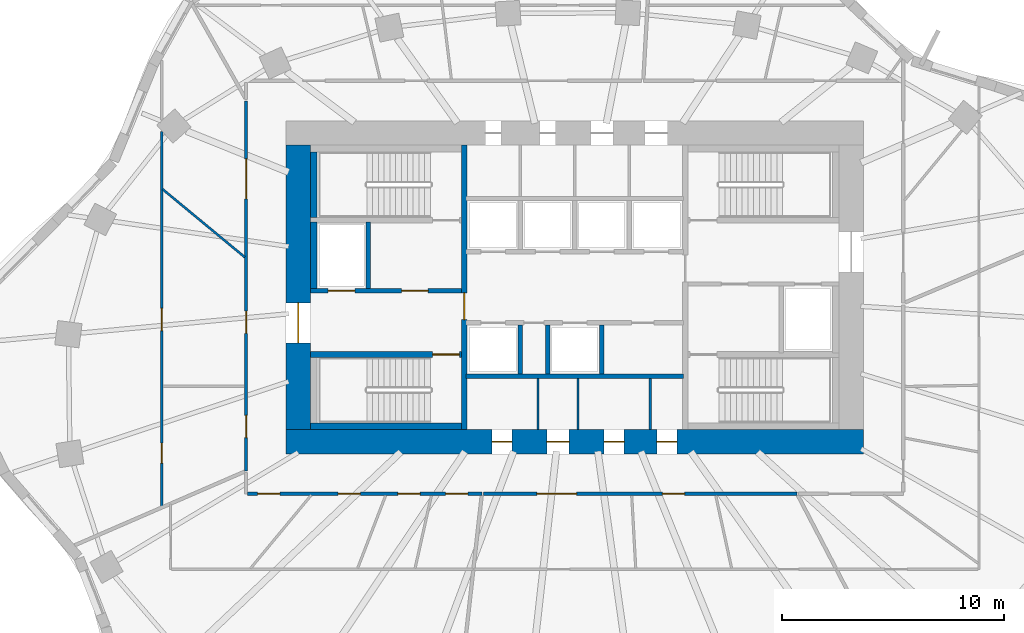
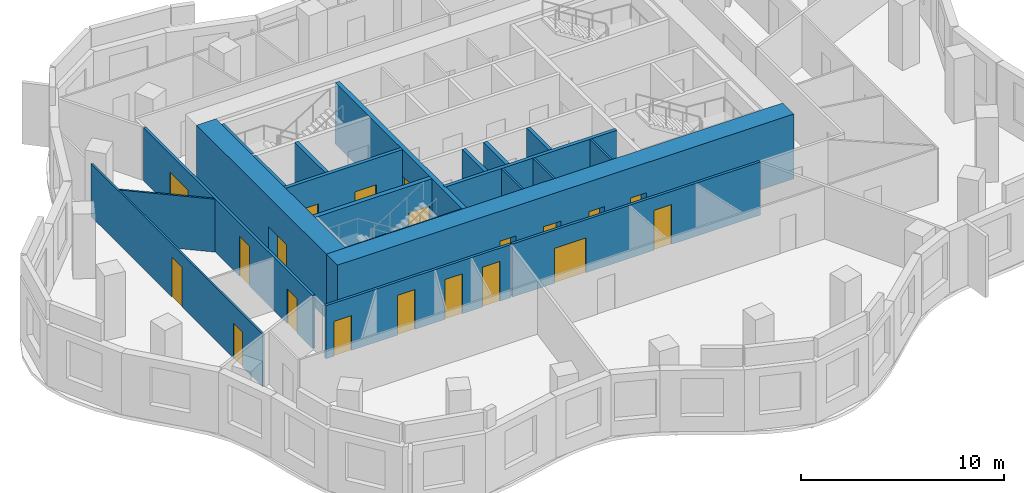
# One storey, part 4 of 9: 21 walls, 20 doors, 20 openings.
"""IFC4 building model written with IfcOpenShell, lengths in metres."""

from ifc_helpers import new_model, si_unit, direction, frame, frame_2d, origin, place, context, subcontext, project, spatial, rectangle, extrude, material, layer, layer_set, type_object, element, fill, save


model = new_model("IFC4")

# Units and contexts
model_context = context("Model", 3, precision=1e-05, world=origin(), true_north=direction((0.0, 1.0)))
body_context = subcontext(model_context, "Body", "Model", "MODEL_VIEW")
ifc_project = project(units=[si_unit("LENGTHUNIT", "METRE"), si_unit("AREAUNIT", "SQUARE_METRE"), si_unit("VOLUMEUNIT", "CUBIC_METRE"), si_unit("PLANEANGLEUNIT", "RADIAN"), si_unit("MASSUNIT", "GRAM", prefix="KILO")], contexts=[model_context])

# Site, building, storey
site_placement = place(None, origin())
site = spatial("IfcSite", under=ifc_project, at=site_placement, CompositionType="ELEMENT")
building_placement = place(site_placement, origin())
building = spatial("IfcBuilding", under=site, at=building_placement, Name="Rubra Terraces Tower", CompositionType="ELEMENT")
storey_placement = place(building_placement, frame((0.0, 0.0, 142.199951171875)))
storey = spatial("IfcBuildingStorey", under=building, at=storey_placement, Name="L34", CompositionType="ELEMENT", Elevation=142.199951171875)

# Wall, openings, doors
ifc_material_1 = material(Name="Concrete C60", Category="concrete")
ifc_layer_1 = layer(ifc_material_1, 1.10009765625)
ifc_layer_set_1 = layer_set([ifc_layer_1], Name="Concrete C60")
wall_type_1 = type_object("IfcWallType", Name="CORE WALL 1100 C60", PredefinedType="SHEAR", material=ifc_layer_set_1)
wall_1_placement = place(storey_placement, frame((-13.0, -2.449951171875, 0.0), z_axis=(0.0, 0.0, 1.0), x_axis=(1.0, 0.0, 0.0)))
wall_1 = element("IfcWall", 1, at=wall_1_placement, inside=storey, type_object=wall_type_1, Name="CORE WALL S L34", PredefinedType="SHEAR", context=body_context, shape_type="SweptSolid", body=[
    extrude(rectangle(XDim=26.0, YDim=1.10009765625, at=frame_2d((13.0, 0.0))), origin(), (0.0, 0.0, 1.0), 3.900146484375),
])
opening_1_placement = place(wall_1_placement, frame((9.27490234375, 0.0, 0.0)))
opening_1 = element("IfcOpeningElement", 2, at=opening_1_placement, cuts=wall_1, Name="Opening L34.C21", PredefinedType="OPENING", context=body_context, shape_type="SweptSolid", body=[
    extrude(rectangle(XDim=0.89990234375, YDim=2.10009765625, at=frame_2d((0.449951171875, 1.050048828125))), frame((0.0, 0.56005859375, 0.0), z_axis=(0.0, -1.0, 0.0), x_axis=(1.0, 0.0, 0.0)), (0.0, 0.0, 1.0), 1.1201171875),
])
opening_2_placement = place(wall_1_placement, frame((11.75, 0.0, 0.0)))
opening_2 = element("IfcOpeningElement", 3, at=opening_2_placement, cuts=wall_1, Name="Opening L34.C22", PredefinedType="OPENING", context=body_context, shape_type="SweptSolid", body=[
    extrude(rectangle(XDim=1.0, YDim=2.10009765625, at=frame_2d((0.5, 1.050048828125))), frame((0.0, 0.56005859375, 0.0), z_axis=(0.0, -1.0, 0.0), x_axis=(1.0, 0.0, 0.0)), (0.0, 0.0, 1.0), 1.1201171875),
])
opening_3_placement = place(wall_1_placement, frame((14.324951171875, 0.0, 0.0)))
opening_3 = element("IfcOpeningElement", 4, at=opening_3_placement, cuts=wall_1, Name="Opening L34.C23", PredefinedType="OPENING", context=body_context, shape_type="SweptSolid", body=[
    extrude(rectangle(XDim=0.89990234375, YDim=2.10009765625, at=frame_2d((0.449951171875, 1.050048828125))), frame((0.0, 0.56005859375, 0.0), z_axis=(0.0, -1.0, 0.0), x_axis=(1.0, 0.0, 0.0)), (0.0, 0.0, 1.0), 1.1201171875),
])
opening_4_placement = place(wall_1_placement, frame((16.699951171875, 0.0, 0.0)))
opening_4 = element("IfcOpeningElement", 5, at=opening_4_placement, cuts=wall_1, Name="Opening L34.C24", PredefinedType="OPENING", context=body_context, shape_type="SweptSolid", body=[
    extrude(rectangle(XDim=0.89990234375, YDim=2.10009765625, at=frame_2d((0.449951171875, 1.050048828125))), frame((0.0, 0.56005859375, 0.0), z_axis=(0.0, -1.0, 0.0), x_axis=(1.0, 0.0, 0.0)), (0.0, 0.0, 1.0), 1.1201171875),
])
ifc_material_2 = material(Name="Painted steel", Category="steel")
door_type_1 = type_object("IfcDoorType", Name="Fire door 1000x2100 single", OperationType="NOTDEFINED", PredefinedType="DOOR", material=ifc_material_2)
door_1_placement = place(opening_2_placement, origin())
door_1 = element("IfcDoor", 6, at=door_1_placement, inside=storey, type_object=door_type_1, Name="Accessible WC door", OperationType="SINGLE_SWING_RIGHT", OverallHeight=2.10009765625, OverallWidth=1.0, PredefinedType="DOOR", context=body_context, shape_type="SweptSolid", body=[
    extrude(rectangle(XDim=1.0, YDim=2.10009765625, at=frame_2d((0.5, 1.050048828125))), frame((0.0, 0.02490234375, 0.0), z_axis=(0.0, -1.0, 0.0), x_axis=(1.0, 0.0, 0.0)), (0.0, 0.0, 1.0), 0.050048828125),
])
fill(opening_2, door_1)
door_type_2 = type_object("IfcDoorType", Name="Fire door 900x2100 single", OperationType="NOTDEFINED", PredefinedType="DOOR", material=ifc_material_2)
door_2_placement = place(opening_1_placement, origin())
door_2 = element("IfcDoor", 7, at=door_2_placement, inside=storey, type_object=door_type_2, Name="Gents WC door", OperationType="SINGLE_SWING_LEFT", OverallHeight=2.10009765625, OverallWidth=0.89990234375, PredefinedType="DOOR", context=body_context, shape_type="SweptSolid", body=[
    extrude(rectangle(XDim=0.89990234375, YDim=2.10009765625, at=frame_2d((0.449951171875, 1.050048828125))), frame((0.0, 0.02490234375, 0.0), z_axis=(0.0, -1.0, 0.0), x_axis=(1.0, 0.0, 0.0)), (0.0, 0.0, 1.0), 0.050048828125),
])
fill(opening_1, door_2)
door_3_placement = place(opening_3_placement, origin())
door_3 = element("IfcDoor", 8, at=door_3_placement, inside=storey, type_object=door_type_2, Name="Ladies WC door", OperationType="SINGLE_SWING_LEFT", OverallHeight=2.10009765625, OverallWidth=0.89990234375, PredefinedType="DOOR", context=body_context, shape_type="SweptSolid", body=[
    extrude(rectangle(XDim=0.89990234375, YDim=2.10009765625, at=frame_2d((0.449951171875, 1.050048828125))), frame((0.0, 0.02490234375, 0.0), z_axis=(0.0, -1.0, 0.0), x_axis=(1.0, 0.0, 0.0)), (0.0, 0.0, 1.0), 0.050048828125),
])
fill(opening_3, door_3)
door_4_placement = place(opening_4_placement, origin())
door_4 = element("IfcDoor", 9, at=door_4_placement, inside=storey, type_object=door_type_2, Name="Cleaner's store door", OperationType="SINGLE_SWING_RIGHT", OverallHeight=2.10009765625, OverallWidth=0.89990234375, PredefinedType="DOOR", context=body_context, shape_type="SweptSolid", body=[
    extrude(rectangle(XDim=0.89990234375, YDim=2.10009765625, at=frame_2d((0.449951171875, 1.050048828125))), frame((0.0, 0.02490234375, 0.0), z_axis=(0.0, -1.0, 0.0), x_axis=(1.0, 0.0, 0.0)), (0.0, 0.0, 1.0), 0.050048828125),
])
fill(opening_4, door_4)

# Wall, opening, door
wall_2_placement = place(storey_placement, frame((-12.449951171875, -1.89990234375, 0.0), z_axis=(0.0, 0.0, 1.0), x_axis=(0.0, 1.0, 0.0)))
wall_2 = element("IfcWall", 10, at=wall_2_placement, inside=storey, type_object=wall_type_1, Name="CORE WALL W L34", PredefinedType="SHEAR", context=body_context, shape_type="SweptSolid", body=[
    extrude(rectangle(XDim=12.7998046875, YDim=1.10009765625, at=frame_2d((6.39990234375, 0.0))), origin(), (0.0, 0.0, 1.0), 3.900146484375),
])
opening_5_placement = place(wall_2_placement, frame((3.89990234375, 0.0, 0.0)))
opening_5 = element("IfcOpeningElement", 11, at=opening_5_placement, cuts=wall_2, Name="Opening L34.C01", PredefinedType="OPENING", context=body_context, shape_type="SweptSolid", body=[
    extrude(rectangle(XDim=1.800048828125, YDim=2.10009765625, at=frame_2d((0.89990234375, 1.050048828125))), frame((0.0, 0.56005859375, 0.0), z_axis=(0.0, -1.0, 0.0), x_axis=(1.0, 0.0, 0.0)), (0.0, 0.0, 1.0), 1.1201171875),
])
door_type_3 = type_object("IfcDoorType", Name="Fire door 1800x2100 double", OperationType="NOTDEFINED", PredefinedType="DOOR", material=ifc_material_2)
door_5_placement = place(opening_5_placement, origin())
door_5 = element("IfcDoor", 12, at=door_5_placement, inside=storey, type_object=door_type_3, Name="Core entrance door FF1", OperationType="DOUBLE_DOOR_SINGLE_SWING", OverallHeight=2.10009765625, OverallWidth=1.800048828125, PredefinedType="DOOR", context=body_context, shape_type="SweptSolid", body=[
    extrude(rectangle(XDim=1.800048828125, YDim=2.10009765625, at=frame_2d((0.89990234375, 1.050048828125))), frame((0.0, 0.02490234375, 0.0), z_axis=(0.0, -1.0, 0.0), x_axis=(1.0, 0.0, 0.0)), (0.0, 0.0, 1.0), 0.050048828125),
])
fill(opening_5, door_5)

# Wall, openings, doors
ifc_material_3 = material(Name="Plasterboard on steel stud, mineral wool infill", Category="steel")
ifc_layer_2 = layer(ifc_material_3, 0.14990234375)
ifc_layer_set_2 = layer_set([ifc_layer_2], Name="Plasterboard on steel stud, mineral wool infill")
wall_type_2 = type_object("IfcWallType", Name="CORRIDOR PARTITION 150", PredefinedType="PARTITIONING", material=ifc_layer_set_2)
wall_3_placement = place(storey_placement, frame((-14.800048828125, 12.881591796875, 0.0), z_axis=(0.0, 0.0, 1.0), x_axis=(0.0, -1.0, 0.0)))
wall_3 = element("IfcWall", 13, at=wall_3_placement, inside=storey, type_object=wall_type_2, Name="PARTITION", PredefinedType="PARTITIONING", context=body_context, shape_type="SweptSolid", body=[
    extrude(rectangle(XDim=16.65234375, YDim=0.14990234375, at=frame_2d((8.326171875, 0.0))), origin(), (0.0, 0.0, 1.0), 3.197998046875),
])
opening_6_placement = place(wall_3_placement, frame((2.59912109375, 0.0, 0.0)))
opening_6 = element("IfcOpeningElement", 14, at=opening_6_placement, cuts=wall_3, Name="Opening 34-107", PredefinedType="OPENING", context=body_context, shape_type="SweptSolid", body=[
    extrude(rectangle(XDim=1.800048828125, YDim=2.10009765625, at=frame_2d((0.89990234375, 1.050048828125))), frame((0.0, 0.0849609375, 0.0), z_axis=(0.0, -1.0, 0.0), x_axis=(1.0, 0.0, 0.0)), (0.0, 0.0, 1.0), 0.169921875),
])
opening_7_placement = place(wall_3_placement, frame((9.4560546875, 0.0, 0.0)))
opening_7 = element("IfcOpeningElement", 15, at=opening_7_placement, cuts=wall_3, Name="Opening 34-108", PredefinedType="OPENING", context=body_context, shape_type="SweptSolid", body=[
    extrude(rectangle(XDim=1.0, YDim=2.39990234375, at=frame_2d((0.5, 1.199951171875))), frame((0.0, 0.0849609375, 0.0), z_axis=(0.0, -1.0, 0.0), x_axis=(1.0, 0.0, 0.0)), (0.0, 0.0, 1.0), 0.169921875),
])
opening_8_placement = place(wall_3_placement, frame((14.14990234375, 0.0, 0.0)))
opening_8 = element("IfcOpeningElement", 16, at=opening_8_placement, cuts=wall_3, Name="Opening 34-129", PredefinedType="OPENING", context=body_context, shape_type="SweptSolid", body=[
    extrude(rectangle(XDim=1.0, YDim=2.10009765625, at=frame_2d((0.5, 1.050048828125))), frame((0.0, 0.0849609375, 0.0), z_axis=(0.0, -1.0, 0.0), x_axis=(1.0, 0.0, 0.0)), (0.0, 0.0, 1.0), 0.169921875),
])
ifc_material_4 = material(Name="Glazed aluminium meeting door leaf", Category="aluminium")
door_type_4 = type_object("IfcDoorType", Name="MEETING ROOM GLAZED DOOR 1000 X 2400", OperationType="SINGLE_SWING_LEFT", PredefinedType="DOOR", material=ifc_material_4)
door_6_placement = place(opening_7_placement, origin())
door_6 = element("IfcDoor", 17, at=door_6_placement, inside=storey, type_object=door_type_4, Name="DOOR 34-108", OperationType="SINGLE_SWING_RIGHT", OverallHeight=2.39990234375, OverallWidth=1.0, PredefinedType="DOOR", context=body_context, shape_type="SweptSolid", body=[
    extrude(rectangle(XDim=1.0, YDim=2.39990234375, at=frame_2d((0.5, 1.199951171875))), frame((0.0, 0.02490234375, 0.0), z_axis=(0.0, -1.0, 0.0), x_axis=(1.0, 0.0, 0.0)), (0.0, 0.0, 1.0), 0.050048828125),
])
fill(opening_7, door_6)
ifc_material_5 = material(Name="Painted timber door leaf", Category="wood")
door_type_5 = type_object("IfcDoorType", Name="ROOM DOOR 1000 X 2100", OperationType="SINGLE_SWING_LEFT", PredefinedType="DOOR", material=ifc_material_5)
door_7_placement = place(opening_8_placement, origin())
door_7 = element("IfcDoor", 18, at=door_7_placement, inside=storey, type_object=door_type_5, Name="DOOR 34-129", OperationType="SINGLE_SWING_RIGHT", OverallHeight=2.10009765625, OverallWidth=1.0, PredefinedType="DOOR", context=body_context, shape_type="SweptSolid", body=[
    extrude(rectangle(XDim=1.0, YDim=2.10009765625, at=frame_2d((0.5, 1.050048828125))), frame((0.0, 0.02490234375, 0.0), z_axis=(0.0, -1.0, 0.0), x_axis=(1.0, 0.0, 0.0)), (0.0, 0.0, 1.0), 0.050048828125),
])
fill(opening_8, door_7)
ifc_material_6 = material(Name="Painted timber door leaf, double", Category="wood")
door_type_6 = type_object("IfcDoorType", Name="ROOM DOUBLE DOOR 1800 X 2100", OperationType="DOUBLE_DOOR_SINGLE_SWING", PredefinedType="DOOR", material=ifc_material_6)
door_8_placement = place(opening_6_placement, origin())
door_8 = element("IfcDoor", 19, at=door_8_placement, inside=storey, type_object=door_type_6, Name="DOOR 34-107", OperationType="DOUBLE_DOOR_SINGLE_SWING", OverallHeight=2.10009765625, OverallWidth=1.800048828125, PredefinedType="DOOR", context=body_context, shape_type="SweptSolid", body=[
    extrude(rectangle(XDim=1.800048828125, YDim=2.10009765625, at=frame_2d((0.89990234375, 1.050048828125))), frame((0.0, 0.02490234375, 0.0), z_axis=(0.0, -1.0, 0.0), x_axis=(1.0, 0.0, 0.0)), (0.0, 0.0, 1.0), 0.050048828125),
])
fill(opening_6, door_8)

wall_4_placement = place(storey_placement, frame((-14.72509765625, -4.800048828125, 0.0), z_axis=(0.0, 0.0, 1.0), x_axis=(1.0, 0.0, 0.0)))
wall_4 = element("IfcWall", 20, at=wall_4_placement, inside=storey, type_object=wall_type_2, Name="PARTITION", PredefinedType="PARTITIONING", context=body_context, shape_type="SweptSolid", body=[
    extrude(rectangle(XDim=10.544189453125, YDim=0.14990234375, at=frame_2d((5.27197265625, 0.0))), origin(), (0.0, 0.0, 1.0), 3.197998046875),
])
opening_9_placement = place(wall_4_placement, frame((0.449951171875, 0.0, 0.0)))
opening_9 = element("IfcOpeningElement", 21, at=opening_9_placement, cuts=wall_4, Name="Opening 34-110", PredefinedType="OPENING", context=body_context, shape_type="SweptSolid", body=[
    extrude(rectangle(XDim=1.0, YDim=2.10009765625, at=frame_2d((0.5, 1.050048828125))), frame((0.0, 0.0849609375, 0.0), z_axis=(0.0, -1.0, 0.0), x_axis=(1.0, 0.0, 0.0)), (0.0, 0.0, 1.0), 0.169921875),
])
opening_10_placement = place(wall_4_placement, frame((4.072998046875, 0.0, 0.0)))
opening_10 = element("IfcOpeningElement", 22, at=opening_10_placement, cuts=wall_4, Name="Opening 34-112", PredefinedType="OPENING", context=body_context, shape_type="SweptSolid", body=[
    extrude(rectangle(XDim=1.0, YDim=2.39990234375, at=frame_2d((0.5, 1.199951171875))), frame((0.0, 0.0849609375, 0.0), z_axis=(0.0, -1.0, 0.0), x_axis=(1.0, 0.0, 0.0)), (0.0, 0.0, 1.0), 0.169921875),
])
opening_11_placement = place(wall_4_placement, frame((6.763916015625, 0.0, 0.0)))
opening_11 = element("IfcOpeningElement", 23, at=opening_11_placement, cuts=wall_4, Name="Opening 34-113", PredefinedType="OPENING", context=body_context, shape_type="SweptSolid", body=[
    extrude(rectangle(XDim=1.0, YDim=2.39990234375, at=frame_2d((0.5, 1.199951171875))), frame((0.0, 0.0849609375, 0.0), z_axis=(0.0, -1.0, 0.0), x_axis=(1.0, 0.0, 0.0)), (0.0, 0.0, 1.0), 0.169921875),
])
opening_12_placement = place(wall_4_placement, frame((8.916015625, 0.0, 0.0)))
opening_12 = element("IfcOpeningElement", 24, at=opening_12_placement, cuts=wall_4, Name="Opening 34-114", PredefinedType="OPENING", context=body_context, shape_type="SweptSolid", body=[
    extrude(rectangle(XDim=1.0, YDim=2.39990234375, at=frame_2d((0.5, 1.199951171875))), frame((0.0, 0.0849609375, 0.0), z_axis=(0.0, -1.0, 0.0), x_axis=(1.0, 0.0, 0.0)), (0.0, 0.0, 1.0), 0.169921875),
])
door_9_placement = place(opening_10_placement, origin())
door_9 = element("IfcDoor", 25, at=door_9_placement, inside=storey, type_object=door_type_4, Name="DOOR 34-112", OperationType="SINGLE_SWING_RIGHT", OverallHeight=2.39990234375, OverallWidth=1.0, PredefinedType="DOOR", context=body_context, shape_type="SweptSolid", body=[
    extrude(rectangle(XDim=1.0, YDim=2.39990234375, at=frame_2d((0.5, 1.199951171875))), frame((0.0, 0.02490234375, 0.0), z_axis=(0.0, -1.0, 0.0), x_axis=(1.0, 0.0, 0.0)), (0.0, 0.0, 1.0), 0.050048828125),
])
fill(opening_10, door_9)
door_10_placement = place(opening_11_placement, origin())
door_10 = element("IfcDoor", 26, at=door_10_placement, inside=storey, type_object=door_type_4, Name="DOOR 34-113", OperationType="SINGLE_SWING_RIGHT", OverallHeight=2.39990234375, OverallWidth=1.0, PredefinedType="DOOR", context=body_context, shape_type="SweptSolid", body=[
    extrude(rectangle(XDim=1.0, YDim=2.39990234375, at=frame_2d((0.5, 1.199951171875))), frame((0.0, 0.02490234375, 0.0), z_axis=(0.0, -1.0, 0.0), x_axis=(1.0, 0.0, 0.0)), (0.0, 0.0, 1.0), 0.050048828125),
])
fill(opening_11, door_10)
door_11_placement = place(opening_12_placement, origin())
door_11 = element("IfcDoor", 27, at=door_11_placement, inside=storey, type_object=door_type_4, Name="DOOR 34-114", OperationType="SINGLE_SWING_RIGHT", OverallHeight=2.39990234375, OverallWidth=1.0, PredefinedType="DOOR", context=body_context, shape_type="SweptSolid", body=[
    extrude(rectangle(XDim=1.0, YDim=2.39990234375, at=frame_2d((0.5, 1.199951171875))), frame((0.0, 0.02490234375, 0.0), z_axis=(0.0, -1.0, 0.0), x_axis=(1.0, 0.0, 0.0)), (0.0, 0.0, 1.0), 0.050048828125),
])
fill(opening_12, door_11)
door_12_placement = place(opening_9_placement, origin())
door_12 = element("IfcDoor", 28, at=door_12_placement, inside=storey, type_object=door_type_5, Name="DOOR 34-110", OperationType="SINGLE_SWING_RIGHT", OverallHeight=2.10009765625, OverallWidth=1.0, PredefinedType="DOOR", context=body_context, shape_type="SweptSolid", body=[
    extrude(rectangle(XDim=1.0, YDim=2.10009765625, at=frame_2d((0.5, 1.050048828125))), frame((0.0, 0.02490234375, 0.0), z_axis=(0.0, -1.0, 0.0), x_axis=(1.0, 0.0, 0.0)), (0.0, 0.0, 1.0), 0.050048828125),
])
fill(opening_9, door_12)

wall_5_placement = place(storey_placement, frame((-4.105712890625, -4.800048828125, 0.0), z_axis=(0.0, 0.0, 1.0), x_axis=(1.0, 0.0, 0.0)))
wall_5 = element("IfcWall", 29, at=wall_5_placement, inside=storey, type_object=wall_type_2, Name="PARTITION", PredefinedType="PARTITIONING", context=body_context, shape_type="SweptSolid", body=[
    extrude(rectangle(XDim=14.116943359375, YDim=0.14990234375, at=frame_2d((7.05859375, 0.0))), origin(), (0.0, 0.0, 1.0), 3.197998046875),
])
opening_13_placement = place(wall_5_placement, frame((2.39599609375, 0.0, 0.0)))
opening_13 = element("IfcOpeningElement", 30, at=opening_13_placement, cuts=wall_5, Name="Opening 34-115", PredefinedType="OPENING", context=body_context, shape_type="SweptSolid", body=[
    extrude(rectangle(XDim=1.800048828125, YDim=2.10009765625, at=frame_2d((0.89990234375, 1.050048828125))), frame((0.0, 0.0849609375, 0.0), z_axis=(0.0, -1.0, 0.0), x_axis=(1.0, 0.0, 0.0)), (0.0, 0.0, 1.0), 0.169921875),
])
opening_14_placement = place(wall_5_placement, frame((8.052978515625, 0.0, 0.0)))
opening_14 = element("IfcOpeningElement", 31, at=opening_14_placement, cuts=wall_5, Name="Opening 34-117", PredefinedType="OPENING", context=body_context, shape_type="SweptSolid", body=[
    extrude(rectangle(XDim=1.0, YDim=2.39990234375, at=frame_2d((0.5, 1.199951171875))), frame((0.0, 0.0849609375, 0.0), z_axis=(0.0, -1.0, 0.0), x_axis=(1.0, 0.0, 0.0)), (0.0, 0.0, 1.0), 0.169921875),
])
door_13_placement = place(opening_14_placement, origin())
door_13 = element("IfcDoor", 32, at=door_13_placement, inside=storey, type_object=door_type_4, Name="DOOR 34-117", OperationType="SINGLE_SWING_RIGHT", OverallHeight=2.39990234375, OverallWidth=1.0, PredefinedType="DOOR", context=body_context, shape_type="SweptSolid", body=[
    extrude(rectangle(XDim=1.0, YDim=2.39990234375, at=frame_2d((0.5, 1.199951171875))), frame((0.0, 0.02490234375, 0.0), z_axis=(0.0, -1.0, 0.0), x_axis=(1.0, 0.0, 0.0)), (0.0, 0.0, 1.0), 0.050048828125),
])
fill(opening_14, door_13)
door_14_placement = place(opening_13_placement, origin())
door_14 = element("IfcDoor", 33, at=door_14_placement, inside=storey, type_object=door_type_6, Name="DOOR 34-115", OperationType="DOUBLE_DOOR_SINGLE_SWING", OverallHeight=2.10009765625, OverallWidth=1.800048828125, PredefinedType="DOOR", context=body_context, shape_type="SweptSolid", body=[
    extrude(rectangle(XDim=1.800048828125, YDim=2.10009765625, at=frame_2d((0.89990234375, 1.050048828125))), frame((0.0, 0.02490234375, 0.0), z_axis=(0.0, -1.0, 0.0), x_axis=(1.0, 0.0, 0.0)), (0.0, 0.0, 1.0), 0.050048828125),
])
fill(opening_13, door_14)

# Walls
ifc_material_7 = material(Name="Concrete C40", Category="concrete")
ifc_layer_3 = layer(ifc_material_7, 0.300048828125)
ifc_layer_set_3 = layer_set([ifc_layer_3], Name="Concrete C40")
wall_type_3 = type_object("IfcWallType", Name="Core lining wall 300 concrete", PredefinedType="SOLIDWALL", material=ifc_layer_set_3)
wall_6_placement = place(storey_placement, frame((-11.89990234375, -1.75, 0.0), z_axis=(0.0, 0.0, 1.0), x_axis=(1.0, 0.0, 0.0)))
element("IfcWall", 34, at=wall_6_placement, inside=storey, type_object=wall_type_3, Name="CORE LINING WALL L34", PredefinedType="SOLIDWALL", context=body_context, shape_type="SweptSolid", body=[
    extrude(rectangle(XDim=6.7998046875, YDim=0.300048828125, at=frame_2d((3.39990234375, 0.0))), origin(), (0.0, 0.0, 1.0), 3.699951171875),
])
wall_7_placement = place(storey_placement, frame((-11.75, 4.449951171875, 0.0), z_axis=(0.0, 0.0, 1.0), x_axis=(0.0, 1.0, 0.0)))
element("IfcWall", 35, at=wall_7_placement, inside=storey, type_object=wall_type_3, Name="CORE LINING WALL L34", PredefinedType="SOLIDWALL", context=body_context, shape_type="SweptSolid", body=[
    extrude(rectangle(XDim=3.0, YDim=0.300048828125, at=frame_2d((1.5, 0.0))), origin(), (0.0, 0.0, 1.0), 3.699951171875),
])
wall_8_placement = place(storey_placement, frame((-11.75, 7.64990234375, 0.0), z_axis=(0.0, 0.0, 1.0), x_axis=(0.0, 1.0, 0.0)))
element("IfcWall", 36, at=wall_8_placement, inside=storey, type_object=wall_type_3, Name="CORE LINING WALL L34", PredefinedType="SOLIDWALL", context=body_context, shape_type="SweptSolid", body=[
    extrude(rectangle(XDim=2.9501953125, YDim=0.300048828125, at=frame_2d((1.47509765625, 0.0))), origin(), (0.0, 0.0, 1.0), 3.699951171875),
])

# Wall, openings, doors
ifc_material_8 = material(Name="Concrete C30", Category="concrete")
ifc_layer_4 = layer(ifc_material_8, 0.199951171875)
ifc_layer_set_4 = layer_set([ifc_layer_4], Name="Concrete C30")
wall_type_4 = type_object("IfcWallType", Name="Core wall 200 concrete", PredefinedType="SOLIDWALL", material=ifc_layer_set_4)
wall_9_placement = place(storey_placement, frame((-11.89990234375, 4.35009765625, 0.0), z_axis=(0.0, 0.0, 1.0), x_axis=(1.0, 0.0, 0.0)))
wall_9 = element("IfcWall", 37, at=wall_9_placement, inside=storey, type_object=wall_type_4, Name="STAIR WALL L34", PredefinedType="SOLIDWALL", context=body_context, shape_type="SweptSolid", body=[
    extrude(rectangle(XDim=6.7998046875, YDim=0.199951171875, at=frame_2d((3.39990234375, 0.0))), origin(), (0.0, 0.0, 1.0), 3.699951171875),
])
opening_15_placement = place(wall_9_placement, frame((4.10009765625, 0.0, 0.0)))
opening_15 = element("IfcOpeningElement", 38, at=opening_15_placement, cuts=wall_9, Name="Opening L34.C05", PredefinedType="OPENING", context=body_context, shape_type="SweptSolid", body=[
    extrude(rectangle(XDim=1.199951171875, YDim=2.10009765625, at=frame_2d((0.60009765625, 1.050048828125))), frame((0.0, 0.10986328125, 0.0), z_axis=(0.0, -1.0, 0.0), x_axis=(1.0, 0.0, 0.0)), (0.0, 0.0, 1.0), 0.219970703125),
])
opening_16_placement = place(wall_9_placement, frame((0.800048828125, 0.0, 0.0)))
opening_16 = element("IfcOpeningElement", 39, at=opening_16_placement, cuts=wall_9, Name="Opening L34.C11", PredefinedType="OPENING", context=body_context, shape_type="SweptSolid", body=[
    extrude(rectangle(XDim=1.199951171875, YDim=2.10009765625, at=frame_2d((0.60009765625, 1.050048828125))), frame((0.0, 0.10986328125, 0.0), z_axis=(0.0, -1.0, 0.0), x_axis=(1.0, 0.0, 0.0)), (0.0, 0.0, 1.0), 0.219970703125),
])
door_type_7 = type_object("IfcDoorType", Name="Fire door 1200x2100 single", OperationType="NOTDEFINED", PredefinedType="DOOR", material=ifc_material_2)
door_15_placement = place(opening_15_placement, origin())
door_15 = element("IfcDoor", 40, at=door_15_placement, inside=storey, type_object=door_type_7, Name="Stair vestibule door S2", OperationType="SINGLE_SWING_LEFT", OverallHeight=2.10009765625, OverallWidth=1.199951171875, PredefinedType="DOOR", context=body_context, shape_type="SweptSolid", body=[
    extrude(rectangle(XDim=1.199951171875, YDim=2.10009765625, at=frame_2d((0.60009765625, 1.050048828125))), frame((0.0, 0.02490234375, 0.0), z_axis=(0.0, -1.0, 0.0), x_axis=(1.0, 0.0, 0.0)), (0.0, 0.0, 1.0), 0.050048828125),
])
fill(opening_15, door_15)
ifc_material_9 = material(Name="Stainless steel", Category="steel")
door_type_8 = type_object("IfcDoorType", Name="Lift landing door 1200x2100", OperationType="NOTDEFINED", PredefinedType="DOOR", material=ifc_material_9)
door_16_placement = place(opening_16_placement, origin())
door_16 = element("IfcDoor", 41, at=door_16_placement, inside=storey, type_object=door_type_8, Name="Landing door FF1", OperationType="SLIDING_TO_RIGHT", OverallHeight=2.10009765625, OverallWidth=1.199951171875, PredefinedType="DOOR", context=body_context, shape_type="SweptSolid", body=[
    extrude(rectangle(XDim=1.199951171875, YDim=2.10009765625, at=frame_2d((0.60009765625, 1.050048828125))), frame((0.0, 0.02490234375, 0.0), z_axis=(0.0, -1.0, 0.0), x_axis=(1.0, 0.0, 0.0)), (0.0, 0.0, 1.0), 0.050048828125),
])
fill(opening_16, door_16)

# Walls
wall_10_placement = place(storey_placement, frame((-9.300048828125, 4.449951171875, 0.0), z_axis=(0.0, 0.0, 1.0), x_axis=(0.0, 1.0, 0.0)))
element("IfcWall", 42, at=wall_10_placement, inside=storey, type_object=wall_type_4, Name="STAIR WALL L34", PredefinedType="SOLIDWALL", context=body_context, shape_type="SweptSolid", body=[
    extrude(rectangle(XDim=3.0, YDim=0.199951171875, at=frame_2d((1.5, 0.0))), origin(), (0.0, 0.0, 1.0), 3.699951171875),
])
wall_11_placement = place(storey_placement, frame((-4.89990234375, 0.5, 0.0), z_axis=(0.0, 0.0, 1.0), x_axis=(1.0, 0.0, 0.0)))
element("IfcWall", 43, at=wall_11_placement, inside=storey, type_object=wall_type_4, Name="LIFT SHAFT WALL L34", PredefinedType="SOLIDWALL", context=body_context, shape_type="SweptSolid", body=[
    extrude(rectangle(XDim=9.7998046875, YDim=0.199951171875, at=frame_2d((4.89990234375, 0.0))), origin(), (0.0, 0.0, 1.0), 3.699951171875),
])
for number, where, z_axis, x_axis, name in (
    (44, (-2.449951171875, 0.60009765625, 0.0), (0.0, 0.0, 1.0), (0.0, 1.0, 0.0), "LIFT SHAFT WALL L34"),
    (45, (-1.22509765625, 0.60009765625, 0.0), (0.0, 0.0, 1.0), (0.0, 1.0, 0.0), "LIFT SHAFT WALL L34"),
    (46, (1.22509765625, 0.60009765625, 0.0), (0.0, 0.0, 1.0), (0.0, 1.0, 0.0), "LIFT SHAFT WALL L34"),
):
    element("IfcWall", number, at=place(storey_placement, frame(where, z_axis=z_axis, x_axis=x_axis)), inside=storey, type_object=wall_type_4, Name=name, PredefinedType="SOLIDWALL", context=body_context, shape_type="SweptSolid", body=[
        extrude(rectangle(XDim=2.199951171875, YDim=0.199951171875, at=frame_2d((1.10009765625, 0.0))), origin(), (0.0, 0.0, 1.0), 3.699951171875),
    ])

# Wall, openings, doors
ifc_material_10 = material(Name="Plasterboard on steel stud", Category="steel")
ifc_layer_5 = layer(ifc_material_10, 0.10009765625)
ifc_layer_set_5 = layer_set([ifc_layer_5], Name="Plasterboard on steel stud")
wall_type_5 = type_object("IfcWallType", Name="ROOM PARTITION 100", PredefinedType="PARTITIONING", material=ifc_layer_set_5)
wall_12_placement = place(storey_placement, frame((-18.60009765625, -5.396728515625, 0.0), z_axis=(0.0, 0.0, 1.0), x_axis=(0.0, 1.0, 0.0)))
wall_12 = element("IfcWall", 47, at=wall_12_placement, inside=storey, type_object=wall_type_5, Name="PARTITION", PredefinedType="PARTITIONING", context=body_context, shape_type="SweptSolid", body=[
    extrude(rectangle(XDim=16.918701171875, YDim=0.10009765625, at=frame_2d((8.45947265625, 0.0))), origin(), (0.0, 0.0, 1.0), 3.18408203125),
])
opening_17_placement = place(wall_12_placement, frame((1.97509765625, 0.0, 0.0)))
opening_17 = element("IfcOpeningElement", 48, at=opening_17_placement, cuts=wall_12, Name="Opening 34-109", PredefinedType="OPENING", context=body_context, shape_type="SweptSolid", body=[
    extrude(rectangle(XDim=0.89990234375, YDim=2.10009765625, at=frame_2d((0.449951171875, 1.050048828125))), frame((0.0, 0.06005859375, 0.0), z_axis=(0.0, -1.0, 0.0), x_axis=(1.0, 0.0, 0.0)), (0.0, 0.0, 1.0), 0.1201171875),
])
opening_18_placement = place(wall_12_placement, frame((7.949951171875, 0.0, 0.0)))
opening_18 = element("IfcOpeningElement", 49, at=opening_18_placement, cuts=wall_12, Name="Opening 34-128", PredefinedType="OPENING", context=body_context, shape_type="SweptSolid", body=[
    extrude(rectangle(XDim=1.0, YDim=2.39990234375, at=frame_2d((0.5, 1.199951171875))), frame((0.0, 0.06005859375, 0.0), z_axis=(0.0, -1.0, 0.0), x_axis=(1.0, 0.0, 0.0)), (0.0, 0.0, 1.0), 0.1201171875),
])
door_17_placement = place(opening_18_placement, origin())
door_17 = element("IfcDoor", 50, at=door_17_placement, inside=storey, type_object=door_type_4, Name="DOOR 34-128", OperationType="SINGLE_SWING_LEFT", OverallHeight=2.39990234375, OverallWidth=1.0, PredefinedType="DOOR", context=body_context, shape_type="SweptSolid", body=[
    extrude(rectangle(XDim=1.0, YDim=2.39990234375, at=frame_2d((0.5, 1.199951171875))), frame((0.0, 0.02490234375, 0.0), z_axis=(0.0, -1.0, 0.0), x_axis=(1.0, 0.0, 0.0)), (0.0, 0.0, 1.0), 0.050048828125),
])
fill(opening_18, door_17)
door_type_9 = type_object("IfcDoorType", Name="ROOM DOOR 900 X 2100", OperationType="SINGLE_SWING_LEFT", PredefinedType="DOOR", material=ifc_material_5)
door_18_placement = place(opening_17_placement, origin())
door_18 = element("IfcDoor", 51, at=door_18_placement, inside=storey, type_object=door_type_9, Name="DOOR 34-109", OperationType="SINGLE_SWING_LEFT", OverallHeight=2.10009765625, OverallWidth=0.89990234375, PredefinedType="DOOR", context=body_context, shape_type="SweptSolid", body=[
    extrude(rectangle(XDim=0.89990234375, YDim=2.10009765625, at=frame_2d((0.449951171875, 1.050048828125))), frame((0.0, 0.02490234375, 0.0), z_axis=(0.0, -1.0, 0.0), x_axis=(1.0, 0.0, 0.0)), (0.0, 0.0, 1.0), 0.050048828125),
])
fill(opening_17, door_18)

# Walls
wall_13_placement = place(storey_placement, frame((-14.85791015625, 5.856689453125, 0.0), z_axis=(0.0, 0.0, 1.0), x_axis=(-0.770605931108, 0.637311932213, 0.0)))
element("IfcWall", 52, at=wall_13_placement, inside=storey, type_object=wall_type_5, Name="PARTITION", PredefinedType="PARTITIONING", context=body_context, shape_type="SweptSolid", body=[
    extrude(rectangle(XDim=4.80615234375, YDim=0.10009765625, at=frame_2d((2.403076171875, 0.0))), origin(), (0.0, 0.0, 1.0), 3.18408203125),
])
ifc_material_11 = material(Name="Blockwork", Category="masonry")
ifc_layer_6 = layer(ifc_material_11, 0.10009765625)
ifc_layer_set_6 = layer_set([ifc_layer_6], Name="Blockwork")
wall_type_6 = type_object("IfcWallType", Name="Service partition 100 blockwork", PredefinedType="PARTITIONING", material=ifc_layer_set_6)
for number, where, z_axis, x_axis, name in (
    (53, (-1.64990234375, -1.89990234375, 0.0), (0.0, 0.0, 1.0), (0.0, 1.0, 0.0), "SERVICE ROOM PARTITION L34"),
    (54, (0.14990234375, -1.89990234375, 0.0), (0.0, 0.0, 1.0), (0.0, 1.0, 0.0), "SERVICE ROOM PARTITION L34"),
    (55, (3.39990234375, -1.89990234375, 0.0), (0.0, 0.0, 1.0), (0.0, 1.0, 0.0), "SERVICE ROOM PARTITION L34"),
):
    element("IfcWall", number, at=place(storey_placement, frame(where, z_axis=z_axis, x_axis=x_axis)), inside=storey, type_object=wall_type_6, Name=name, PredefinedType="PARTITIONING", context=body_context, shape_type="SweptSolid", body=[
        extrude(rectangle(XDim=2.2998046875, YDim=0.10009765625, at=frame_2d((1.14990234375, 0.0))), origin(), (0.0, 0.0, 1.0), 3.699951171875),
    ])

# Wall, opening, door
ifc_layer_7 = layer(ifc_material_7, 0.25)
ifc_layer_set_7 = layer_set([ifc_layer_7], Name="Concrete C40")
wall_type_7 = type_object("IfcWallType", Name="Stair enclosure wall 250 concrete", PredefinedType="SOLIDWALL", material=ifc_layer_set_7)
wall_14_placement = place(storey_placement, frame((-11.89990234375, 1.47509765625, 0.0), z_axis=(0.0, 0.0, 1.0), x_axis=(1.0, 0.0, 0.0)))
wall_14 = element("IfcWall", 56, at=wall_14_placement, inside=storey, type_object=wall_type_7, Name="STAIR WALL L34", PredefinedType="SOLIDWALL", context=body_context, shape_type="SweptSolid", body=[
    extrude(rectangle(XDim=6.7998046875, YDim=0.25, at=frame_2d((3.39990234375, 0.0))), origin(), (0.0, 0.0, 1.0), 3.699951171875),
])
opening_19_placement = place(wall_14_placement, frame((5.5, 0.0, 0.0)))
opening_19 = element("IfcOpeningElement", 57, at=opening_19_placement, cuts=wall_14, Name="Opening L34.C07", PredefinedType="OPENING", context=body_context, shape_type="SweptSolid", body=[
    extrude(rectangle(XDim=1.199951171875, YDim=2.10009765625, at=frame_2d((0.60009765625, 1.050048828125))), frame((0.0, 0.135009765625, 0.0), z_axis=(0.0, -1.0, 0.0), x_axis=(1.0, 0.0, 0.0)), (0.0, 0.0, 1.0), 0.27001953125),
])
door_19_placement = place(opening_19_placement, origin())
door_19 = element("IfcDoor", 58, at=door_19_placement, inside=storey, type_object=door_type_7, Name="Stair door S1", OperationType="SINGLE_SWING_LEFT", OverallHeight=2.10009765625, OverallWidth=1.199951171875, PredefinedType="DOOR", context=body_context, shape_type="SweptSolid", body=[
    extrude(rectangle(XDim=1.199951171875, YDim=2.10009765625, at=frame_2d((0.60009765625, 1.050048828125))), frame((0.0, 0.02490234375, 0.0), z_axis=(0.0, -1.0, 0.0), x_axis=(1.0, 0.0, 0.0)), (0.0, 0.0, 1.0), 0.050048828125),
])
fill(opening_19, door_19)

wall_15_placement = place(storey_placement, frame((-4.97509765625, -1.89990234375, 0.0), z_axis=(0.0, 0.0, 1.0), x_axis=(0.0, 1.0, 0.0)))
wall_15 = element("IfcWall", 59, at=wall_15_placement, inside=storey, type_object=wall_type_7, Name="CORE LOBBY WALL L34", PredefinedType="SOLIDWALL", context=body_context, shape_type="SweptSolid", body=[
    extrude(rectangle(XDim=12.7998046875, YDim=0.25, at=frame_2d((6.39990234375, 0.0))), origin(), (0.0, 0.0, 1.0), 3.699951171875),
])
opening_20_placement = place(wall_15_placement, frame((4.949951171875, 0.0, 0.0)))
opening_20 = element("IfcOpeningElement", 60, at=opening_20_placement, cuts=wall_15, Name="Opening L34.C03", PredefinedType="OPENING", context=body_context, shape_type="SweptSolid", body=[
    extrude(rectangle(XDim=1.199951171875, YDim=2.10009765625, at=frame_2d((0.60009765625, 1.050048828125))), frame((0.0, 0.135009765625, 0.0), z_axis=(0.0, -1.0, 0.0), x_axis=(1.0, 0.0, 0.0)), (0.0, 0.0, 1.0), 0.27001953125),
])
door_20_placement = place(opening_20_placement, origin())
door_20 = element("IfcDoor", 61, at=door_20_placement, inside=storey, type_object=door_type_7, Name="Firefighting lobby door FF1", OperationType="SINGLE_SWING_LEFT", OverallHeight=2.10009765625, OverallWidth=1.199951171875, PredefinedType="DOOR", context=body_context, shape_type="SweptSolid", body=[
    extrude(rectangle(XDim=1.199951171875, YDim=2.10009765625, at=frame_2d((0.60009765625, 1.050048828125))), frame((0.0, 0.02490234375, 0.0), z_axis=(0.0, -1.0, 0.0), x_axis=(1.0, 0.0, 0.0)), (0.0, 0.0, 1.0), 0.050048828125),
])
fill(opening_20, door_20)

save(model, "model.ifc")
